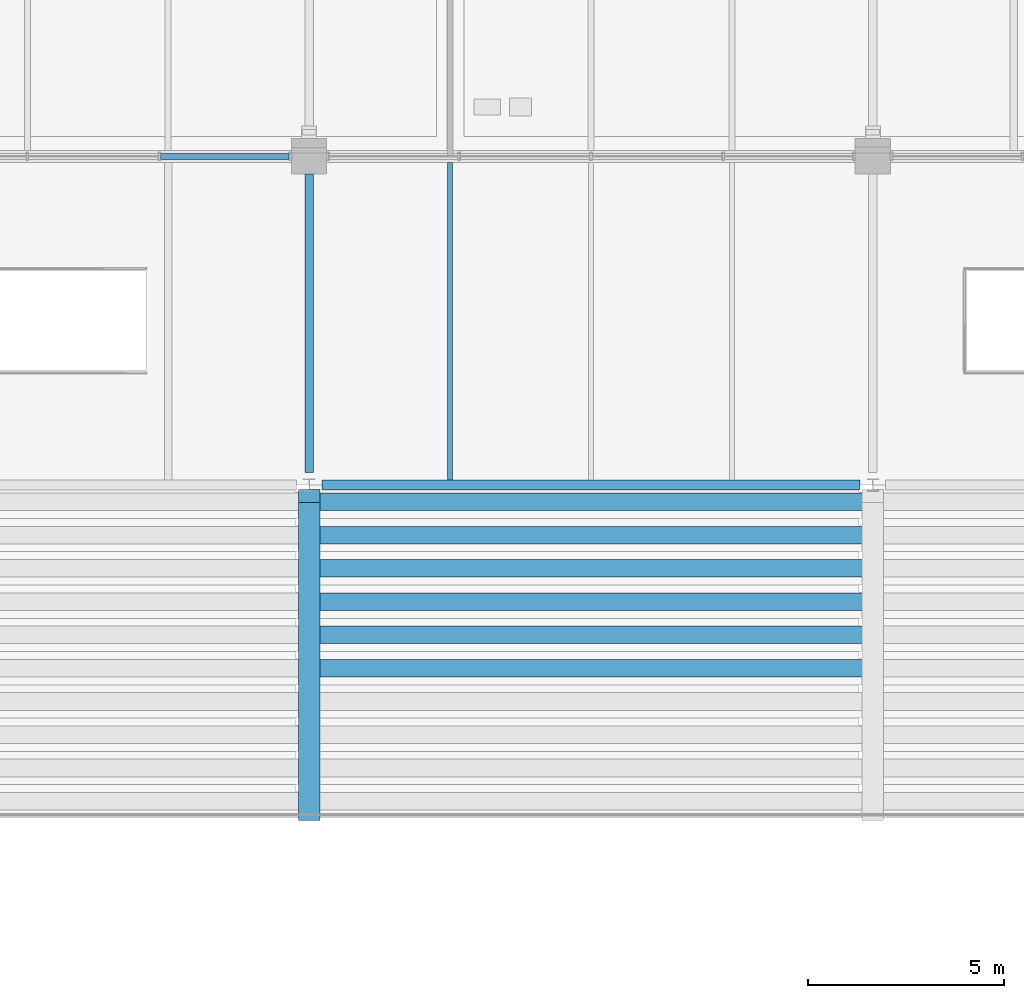
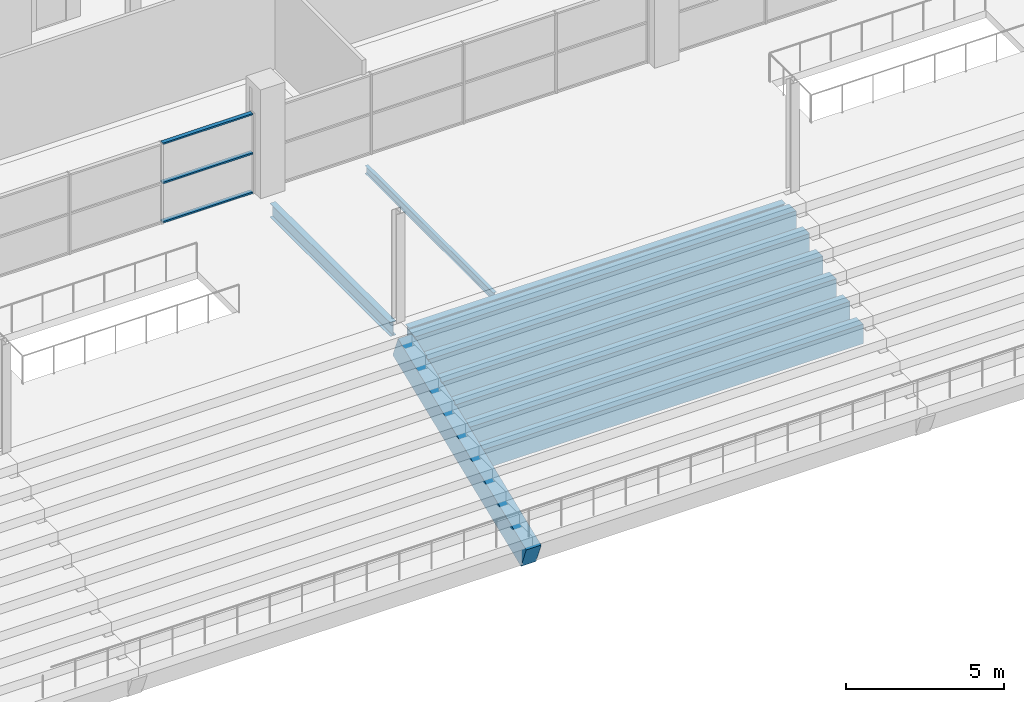
# One storey, part 66 of 161: 10 beams, 3 members, 1 element without a shape of its own.
"""IFC4 building model written with IfcOpenShell, lengths in metres."""

from ifc_helpers import new_model, si_unit, direction, frame, origin, origin_2d, place, context, subcontext, project, spatial, rectangle, hollow_rectangle, i_section, extrude, material, material_profile, profile_set, type_object, element, aggregate, save


model = new_model("IFC4")

# Units and contexts
model_context = context("Model", 3, precision=1e-05, world=origin(), true_north=direction((0.0, 1.0)))
body_context = subcontext(model_context, "Body", "Model", "MODEL_VIEW")
ifc_project = project(units=[si_unit("LENGTHUNIT", "METRE"), si_unit("AREAUNIT", "SQUARE_METRE"), si_unit("VOLUMEUNIT", "CUBIC_METRE"), si_unit("PLANEANGLEUNIT", "RADIAN"), si_unit("MASSUNIT", "GRAM", prefix="KILO"), si_unit("THERMODYNAMICTEMPERATUREUNIT", "KELVIN")], contexts=[model_context])

# Site, building, storey
site_placement = place(None, origin())
site = spatial("IfcSite", under=ifc_project, at=site_placement, CompositionType="ELEMENT")
building_placement = place(site_placement, origin())
building = spatial("IfcBuilding", under=site, at=building_placement, Name="Nduvali Passage Aquatics Centre", CompositionType="ELEMENT")
storey_placement = place(building_placement, frame((0.0, 0.0, 4.800048828125)))
storey = spatial("IfcBuildingStorey", under=building, at=storey_placement, Name="L01", CompositionType="ELEMENT", Elevation=4.800048828125)

# Curtain wall, members
ifc_material_1 = material(Name="Aluminium EN AW-6063 T6", Category="aluminium")
curtain_wall_type = type_object("IfcCurtainWallType", Name="ENV-CW-HALL", PredefinedType="NOTDEFINED", material=ifc_material_1)
curtain_wall_placement = place(storey_placement, origin())
curtain_wall = element("IfcCurtainWall", 1, at=curtain_wall_placement, inside=storey, type_object=curtain_wall_type, Name="L01 North Pool Hall Concourse CW 062", PredefinedType="NOTDEFINED")
ifc_material_profile_1 = material_profile(ifc_material_1, hollow_rectangle(XDim=0.14990234375, YDim=0.06005859375, WallThickness=0.00390625, at=origin_2d()), Name="ALU TRANSOM 150x60x4")
ifc_profile_set_1 = profile_set([ifc_material_profile_1], Name="Aluminium EN AW-6063 T6")
member_type = type_object("IfcMemberType", Name="ENV-MEM-TRN80", PredefinedType="USERDEFINED", material=ifc_profile_set_1)
member_1_placement = place(storey_placement, frame((79.0048828125, 92.39990234375, 0.030029296875), z_axis=(1.0, 0.0, 0.0), x_axis=(0.0, 1.0, 0.0)))
member_1 = element("IfcMember", 2, at=member_1_placement, type_object=member_type, Name="North Pool Hall Concourse CW Transom B4-R0", ObjectType="TRANSOM", PredefinedType="USERDEFINED", context=body_context, shape_type="SweptSolid", body=[
    extrude(hollow_rectangle(XDim=0.14990234375, YDim=0.06005859375, WallThickness=0.00390625, at=origin_2d()), origin(), (0.0, 0.0, 1.0), 3.28515625),
])
member_2_placement = place(storey_placement, frame((79.0048828125, 92.39990234375, 1.547607421875), z_axis=(1.0, 0.0, 0.0), x_axis=(0.0, 1.0, 0.0)))
member_2 = element("IfcMember", 3, at=member_2_placement, type_object=member_type, Name="North Pool Hall Concourse CW Transom B4-R1", ObjectType="TRANSOM", PredefinedType="USERDEFINED", context=body_context, shape_type="SweptSolid", body=[
    extrude(hollow_rectangle(XDim=0.14990234375, YDim=0.06005859375, WallThickness=0.00390625, at=origin_2d()), origin(), (0.0, 0.0, 1.0), 3.28515625),
])
member_3_placement = place(storey_placement, frame((79.0048828125, 92.39990234375, 3.065185546875), z_axis=(1.0, 0.0, 0.0), x_axis=(0.0, 1.0, 0.0)))
member_3 = element("IfcMember", 4, at=member_3_placement, type_object=member_type, Name="North Pool Hall Concourse CW Transom B4-R2", ObjectType="TRANSOM", PredefinedType="USERDEFINED", context=body_context, shape_type="SweptSolid", body=[
    extrude(hollow_rectangle(XDim=0.14990234375, YDim=0.06005859375, WallThickness=0.00390625, at=origin_2d()), origin(), (0.0, 0.0, 1.0), 3.28515625),
])
aggregate(curtain_wall, [member_1, member_2, member_3])

# Beams
ifc_material_2 = material(Name="Concrete C40/50", Category="concrete")
ifc_material_profile_2 = material_profile(ifc_material_2, rectangle(XDim=0.449951171875, YDim=0.75, at=origin_2d()), Name="RC 450x750")
ifc_profile_set_2 = profile_set([ifc_material_profile_2], Name="Concrete C40/50")
beam_type_1 = type_object("IfcBeamType", Name="STR-BM-RC4575", PredefinedType="BEAM", material=ifc_profile_set_2)
for number, where, z_axis, x_axis, name in (
    (5, (83.0400390625, 79.324951171875, -2.53515625), (1.0, 0.0, 0.0), (0.0, 1.0, 0.0), "L01 North Stand Tier Bearer Row 05 B3-1592"),
    (6, (83.0400390625, 80.175048828125, -2.175048828125), (1.0, 0.0, 0.0), (0.0, 1.0, 0.0), "L01 North Stand Tier Bearer Row 06 B3-1597"),
    (7, (83.0400390625, 81.02490234375, -1.81494140625), (1.0, 0.0, 0.0), (0.0, 1.0, 0.0), "L01 North Stand Tier Bearer Row 07 B3-1602"),
    (8, (83.0400390625, 81.875, -1.455078125), (1.0, 0.0, 0.0), (0.0, 1.0, 0.0), "L01 North Stand Tier Bearer Row 08 B3-1607"),
    (9, (83.0400390625, 82.72509765625, -1.094970703125), (1.0, 0.0, 0.0), (0.0, 1.0, 0.0), "L01 North Stand Tier Bearer Row 09 B3-1612"),
    (10, (83.0400390625, 83.574951171875, -0.735107421875), (1.0, 0.0, 0.0), (0.0, 1.0, 0.0), "L01 North Stand Tier Bearer Row 10 B3-1617"),
):
    element("IfcBeam", number, at=place(storey_placement, frame(where, z_axis=z_axis, x_axis=x_axis)), inside=storey, type_object=beam_type_1, Name=name, PredefinedType="BEAM", context=body_context, shape_type="SweptSolid", body=[
        extrude(rectangle(XDim=0.449951171875, YDim=0.75, at=origin_2d()), origin(), (0.0, 0.0, 1.0), 13.919921875),
    ])
ifc_material_3 = material(Name="Steel S355", Category="steel")
ifc_material_profile_3 = material_profile(ifc_material_3, i_section(OverallWidth=0.210693359375, OverallDepth=0.53955078125, WebThickness=0.01171875, FlangeThickness=0.018798828125, FilletRadius=0.0126953125, at=origin_2d()), Name="UKB 533x210x109")
ifc_profile_set_3 = profile_set([ifc_material_profile_3], Name="Steel S355")
beam_type_2 = type_object("IfcBeamType", Name="STR-BM-UKB533", PredefinedType="BEAM", material=ifc_profile_set_3)
beam_1_placement = place(storey_placement, frame((82.800048828125, 84.324951171875, -0.553955078125), z_axis=(0.0, 1.0, 0.0), x_axis=(-1.0, 0.0, 0.0)))
element("IfcBeam", 11, at=beam_1_placement, inside=storey, type_object=beam_type_2, Name="L01 Primary Y-Girder B6-0602", PredefinedType="BEAM", context=body_context, shape_type="SweptSolid", body=[
    extrude(i_section(OverallWidth=0.210693359375, OverallDepth=0.53955078125, WebThickness=0.01171875, FlangeThickness=0.018798828125, FilletRadius=0.0126953125, at=origin_2d()), origin(), (0.0, 0.0, 1.0), 7.625),
])
ifc_material_profile_4 = material_profile(ifc_material_3, i_section(OverallWidth=0.253662109375, OverallDepth=0.68359375, WebThickness=0.012451171875, FlangeThickness=0.01904296875, FilletRadius=0.01513671875, at=origin_2d()), Name="UKB 686x254x140")
ifc_profile_set_4 = profile_set([ifc_material_profile_4], Name="Steel S355")
beam_type_3 = type_object("IfcBeamType", Name="STR-BM-UKB686", PredefinedType="BEAM", material=ifc_profile_set_4)
beam_2_placement = place(storey_placement, frame((83.125, 84.0, -0.705810546875), z_axis=(1.0, 0.0, 0.0), x_axis=(0.0, 1.0, 0.0)))
element("IfcBeam", 12, at=beam_2_placement, inside=storey, type_object=beam_type_3, Name="L01 Primary X-Girder B4-0515", PredefinedType="BEAM", context=body_context, shape_type="SweptSolid", body=[
    extrude(i_section(OverallWidth=0.253662109375, OverallDepth=0.68359375, WebThickness=0.012451171875, FlangeThickness=0.01904296875, FilletRadius=0.01513671875, at=origin_2d()), origin(), (0.0, 0.0, 1.0), 13.75),
])
ifc_material_profile_5 = material_profile(ifc_material_3, i_section(OverallWidth=0.124267578125, OverallDepth=0.30712890625, WebThickness=0.008056640625, FlangeThickness=0.01220703125, FilletRadius=0.0087890625, at=origin_2d()), Name="UKB 305x127x42")
ifc_profile_set_5 = profile_set([ifc_material_profile_5], Name="Steel S355")
beam_type_4 = type_object("IfcBeamType", Name="STR-JST-UKB305L", PredefinedType="JOIST", material=ifc_profile_set_5)
beam_3_placement = place(storey_placement, frame((86.39990234375, 84.126708984375, -0.437744140625), z_axis=(0.0, 1.0, 0.0), x_axis=(-1.0, 0.0, 0.0)))
element("IfcBeam", 13, at=beam_3_placement, inside=storey, type_object=beam_type_4, Name="L01 Secondary Joist J3A-0803", PredefinedType="JOIST", context=body_context, shape_type="SweptSolid", body=[
    extrude(i_section(OverallWidth=0.124267578125, OverallDepth=0.30712890625, WebThickness=0.008056640625, FlangeThickness=0.01220703125, FilletRadius=0.0087890625, at=origin_2d()), origin(), (0.0, 0.0, 1.0), 8.121337890625),
])
ifc_material_profile_6 = material_profile(ifc_material_2, rectangle(XDim=0.550048828125, YDim=0.89990234375, at=origin_2d()), Name="RC 550x900")
ifc_profile_set_6 = profile_set([ifc_material_profile_6], Name="Concrete C40/50")
beam_type_5 = type_object("IfcBeamType", Name="STR-RAK-RC5085", PredefinedType="USERDEFINED", material=ifc_profile_set_6)
beam_4_placement = place(storey_placement, frame((82.800048828125, 83.719970703125, -0.78515625), z_axis=(0.0, -0.928790285766, -0.370605727244), x_axis=(1.0, 0.0, 0.0)))
element("IfcBeam", 14, at=beam_4_placement, inside=storey, type_object=beam_type_5, Name="L01 North Stand Raker Beam RK1-1566", ObjectType="RAKER", PredefinedType="USERDEFINED", context=body_context, shape_type="SweptSolid", body=[
    extrude(rectangle(XDim=0.550048828125, YDim=0.89990234375, at=origin_2d()), origin(), (0.0, 0.0, 1.0), 8.742431640625),
])

save(model, "model.ifc")
